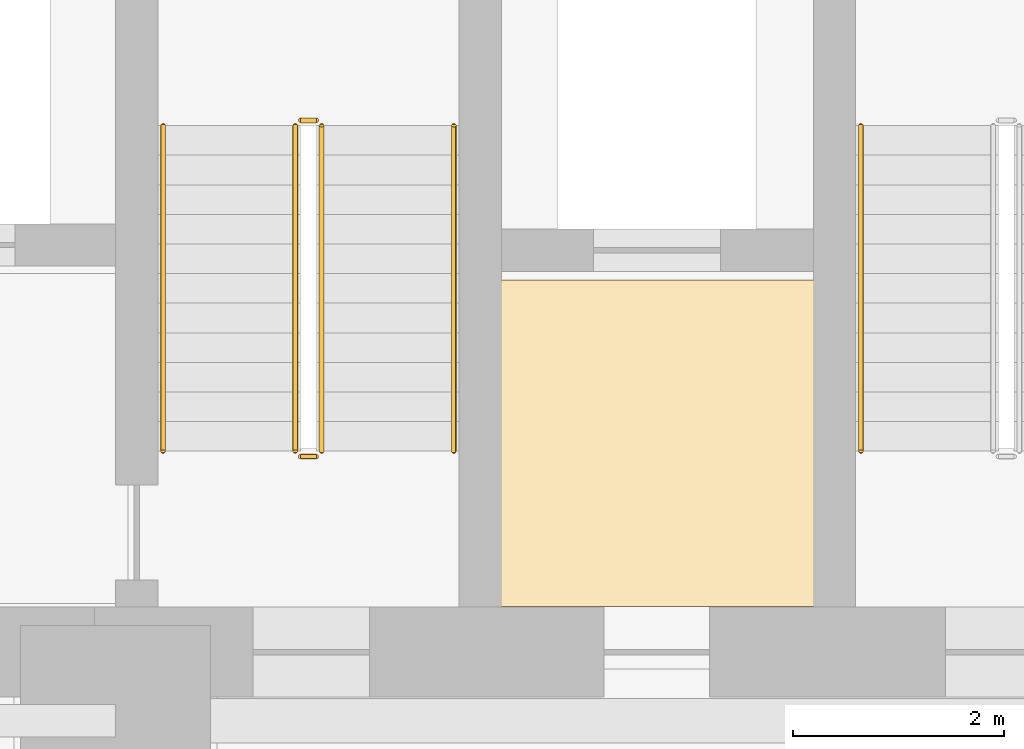
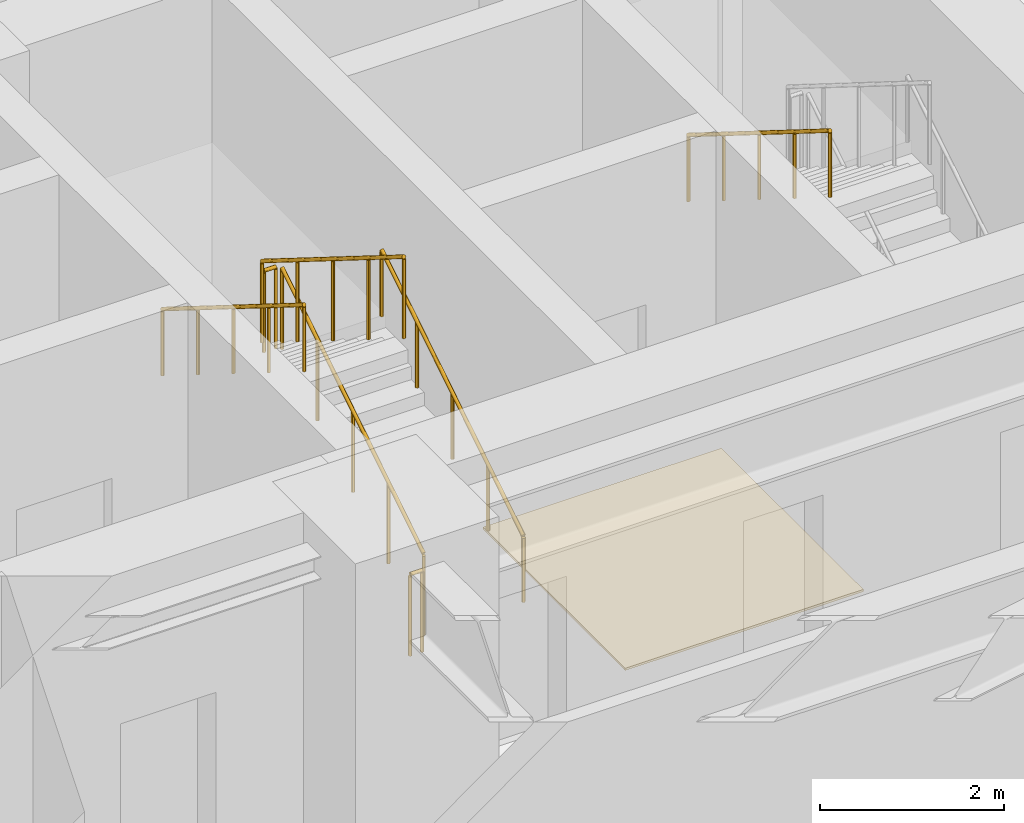
# One storey, part 9 of 11: 7 railings, 1 covering.
"""IFC4 building model written with IfcOpenShell, lengths in metres."""

from ifc_helpers import new_model, si_unit, direction, frame, origin, origin_2d, place, context, subcontext, project, spatial, polyline, circle, outline, extrude, material, layer, layer_set, type_object, element, save


model = new_model("IFC4")

# Units and contexts
model_context = context("Model", 3, precision=1e-05, world=origin(), true_north=direction((0.0, 1.0)))
body_context = subcontext(model_context, "Body", "Model", "MODEL_VIEW")
ifc_project = project(units=[si_unit("LENGTHUNIT", "METRE"), si_unit("AREAUNIT", "SQUARE_METRE"), si_unit("VOLUMEUNIT", "CUBIC_METRE"), si_unit("PLANEANGLEUNIT", "RADIAN"), si_unit("MASSUNIT", "GRAM", prefix="KILO")], contexts=[model_context])

# Site, building, storey
site_placement = place(None, origin())
site = spatial("IfcSite", under=ifc_project, at=site_placement, CompositionType="ELEMENT")
building_placement = place(site_placement, origin())
building = spatial("IfcBuilding", under=site, at=building_placement, Name="Kravanh Interchange Tower", CompositionType="ELEMENT")
storey_placement = place(building_placement, frame((0.0, 0.0, -4.199951171875)))
storey = spatial("IfcBuildingStorey", under=building, at=storey_placement, Name="B1", CompositionType="ELEMENT", Elevation=-4.199951171875)

# Covering
ifc_material_1 = material(Name="Cementitious Terrazzo Tile")
ifc_layer_1 = layer(ifc_material_1, 0.030029296875)
ifc_layer_set_1 = layer_set([ifc_layer_1], Name="Honed Terrazzo Lobby Flooring 30mm")
covering_type = type_object("IfcCoveringType", Name="Honed Terrazzo Lobby Flooring 30mm", PredefinedType="FLOORING", material=ifc_layer_set_1)
covering_placement = place(storey_placement, origin())
element("IfcCovering", 1, at=covering_placement, inside=storey, type_object=covering_type, Name="B1 Service Lift Lobby Floor Finish", PredefinedType="FLOORING", context=body_context, shape_type="SweptSolid", body=[
    extrude(outline(polyline([(59.6298828125, 41.52001953125), (62.6201171875, 41.52001953125), (62.6201171875, 38.429931640625), (59.6298828125, 38.429931640625), (59.6298828125, 41.52001953125)])), origin(), (0.0, 0.0, 1.0), 0.030029296875),
])

# Railings
ifc_material_2 = material(Name="Structural Steel S355", Category="steel")
ifc_layer_2 = layer(ifc_material_2, 0.050048828125)
ifc_layer_set_2 = layer_set([ifc_layer_2], Name="Stair Well Guardrail Structural Steel S355 1100mm")
railing_type_1 = type_object("IfcRailingType", Name="Stair Well Guardrail Structural Steel S355 1100mm", PredefinedType="GUARDRAIL", material=ifc_layer_set_2)
railing_1_placement = place(storey_placement, frame((57.949951171875, 39.89990234375, 0.175048828125)))
element("IfcRailing", 2, at=railing_1_placement, inside=storey, type_object=railing_type_1, Name="B1 ST2 stair guard 1", PredefinedType="GUARDRAIL", context=body_context, shape_type="SweptSolid", body=[
    extrude(circle(Radius=0.02392578125, at=origin_2d()), frame((0.0, 0.0, 1.076171875), z_axis=(0.0, 0.848028513186, 0.529950602248), x_axis=(-1.0, 0.0, 0.0)), (0.0, 0.0, 1.0), 3.632080078125),
    extrude(circle(Radius=0.02099609375, at=origin_2d()), origin(), (0.0, 0.0, 1.0), 1.052001953125),
    extrude(circle(Radius=0.02099609375, at=origin_2d()), frame((0.0, 0.77001953125, 0.481201171875)), (0.0, 0.0, 1.0), 1.052001953125),
    extrude(circle(Radius=0.02099609375, at=origin_2d()), frame((0.0, 1.5400390625, 0.96240234375)), (0.0, 0.0, 1.0), 1.052001953125),
    extrude(circle(Radius=0.02099609375, at=origin_2d()), frame((0.0, 2.31005859375, 1.443603515625)), (0.0, 0.0, 1.0), 1.052001953125),
    extrude(circle(Radius=0.02099609375, at=origin_2d()), frame((0.0, 3.080078125, 1.9248046875)), (0.0, 0.0, 1.0), 1.052001953125),
])
railing_2_placement = place(storey_placement, frame((57.89990234375, 43.030029296875, 2.099853515625)))
element("IfcRailing", 3, at=railing_2_placement, inside=storey, type_object=railing_type_1, Name="B1 ST2 stair guard 2", PredefinedType="GUARDRAIL", context=body_context, shape_type="SweptSolid", body=[
    extrude(circle(Radius=0.02392578125, at=origin_2d()), frame((0.0, 0.0, 1.076171875), z_axis=(-1.0, 0.0, 0.0), x_axis=(0.0, -1.0, 0.0)), (0.0, 0.0, 1.0), 0.14990234375),
    extrude(circle(Radius=0.02099609375, at=origin_2d()), origin(), (0.0, 0.0, 1.0), 1.052001953125),
    extrude(circle(Radius=0.02099609375, at=origin_2d()), frame((-0.14990234375, 0.0, 0.0)), (0.0, 0.0, 1.0), 1.052001953125),
])
railing_3_placement = place(storey_placement, frame((57.699951171875, 42.97998046875, 2.27490234375)))
element("IfcRailing", 4, at=railing_3_placement, inside=storey, type_object=railing_type_1, Name="B1 ST2 stair guard 3", PredefinedType="GUARDRAIL", context=body_context, shape_type="SweptSolid", body=[
    extrude(circle(Radius=0.02392578125, at=origin_2d()), frame((0.0, 0.0, 1.076171875), z_axis=(0.0, -0.847998304005, 0.529998940003), x_axis=(1.0, 0.0, 0.0)), (0.0, 0.0, 1.0), 3.632080078125),
    extrude(circle(Radius=0.02099609375, at=origin_2d()), origin(), (0.0, 0.0, 1.0), 1.052001953125),
    extrude(circle(Radius=0.02099609375, at=origin_2d()), frame((0.0, -0.77001953125, 0.481201171875)), (0.0, 0.0, 1.0), 1.052001953125),
    extrude(circle(Radius=0.02099609375, at=origin_2d()), frame((0.0, -1.5400390625, 0.96240234375)), (0.0, 0.0, 1.0), 1.052001953125),
    extrude(circle(Radius=0.02099609375, at=origin_2d()), frame((0.0, -2.31005859375, 1.44384765625)), (0.0, 0.0, 1.0), 1.052001953125),
    extrude(circle(Radius=0.02099609375, at=origin_2d()), frame((0.0, -3.080078125, 1.925048828125)), (0.0, 0.0, 1.0), 1.052001953125),
])
railing_4_placement = place(storey_placement, frame((57.89990234375, 39.85009765625, 0.0)))
element("IfcRailing", 5, at=railing_4_placement, inside=storey, type_object=railing_type_1, Name="B1 ST2 stair guard 4", PredefinedType="GUARDRAIL", context=body_context, shape_type="SweptSolid", body=[
    extrude(circle(Radius=0.02392578125, at=origin_2d()), frame((0.0, 0.0, 1.076171875), z_axis=(-1.0, 0.0, 0.0), x_axis=(0.0, -1.0, 0.0)), (0.0, 0.0, 1.0), 0.14990234375),
    extrude(circle(Radius=0.02099609375, at=origin_2d()), origin(), (0.0, 0.0, 1.0), 1.052001953125),
    extrude(circle(Radius=0.02099609375, at=origin_2d()), frame((-0.14990234375, 0.0, 0.0)), (0.0, 0.0, 1.0), 1.052001953125),
])
ifc_material_3 = material(Name="Stainless Steel 304", Category="steel")
ifc_layer_3 = layer(ifc_material_3, 0.044921875)
ifc_layer_set_3 = layer_set([ifc_layer_3], Name="Tubular Stair Handrail Stainless 304 900mm")
railing_type_2 = type_object("IfcRailingType", Name="Tubular Stair Handrail Stainless 304 900mm", PredefinedType="HANDRAIL", material=ifc_layer_set_3)
railing_5_placement = place(storey_placement, frame((63.050048828125, 42.97998046875, 2.27490234375)))
element("IfcRailing", 6, at=railing_5_placement, inside=storey, type_object=railing_type_2, Name="B1 ST1 stair handrail 2", PredefinedType="HANDRAIL", context=body_context, shape_type="SweptSolid", body=[
    extrude(circle(Radius=0.02392578125, at=origin_2d()), frame((0.0, 0.0, 0.8759765625), z_axis=(0.0, -0.847998304005, 0.529998940003), x_axis=(1.0, 0.0, 0.0)), (0.0, 0.0, 1.0), 3.632080078125),
    extrude(circle(Radius=0.02099609375, at=origin_2d()), origin(), (0.0, 0.0, 1.0), 0.851806640625),
    extrude(circle(Radius=0.02099609375, at=origin_2d()), frame((0.0, -0.77001953125, 0.481201171875)), (0.0, 0.0, 1.0), 0.851806640625),
    extrude(circle(Radius=0.02099609375, at=origin_2d()), frame((0.0, -1.5400390625, 0.96240234375)), (0.0, 0.0, 1.0), 0.851806640625),
    extrude(circle(Radius=0.02099609375, at=origin_2d()), frame((0.0, -2.31005859375, 1.44384765625)), (0.0, 0.0, 1.0), 0.851806640625),
    extrude(circle(Radius=0.02099609375, at=origin_2d()), frame((0.0, -3.080078125, 1.925048828125)), (0.0, 0.0, 1.0), 0.851806640625),
])
railing_6_placement = place(storey_placement, frame((59.199951171875, 39.89990234375, 0.175048828125)))
element("IfcRailing", 7, at=railing_6_placement, inside=storey, type_object=railing_type_2, Name="B1 ST2 stair handrail 1", PredefinedType="HANDRAIL", context=body_context, shape_type="SweptSolid", body=[
    extrude(circle(Radius=0.02392578125, at=origin_2d()), frame((0.0, 0.0, 0.8759765625), z_axis=(0.0, 0.848028513186, 0.529950602248), x_axis=(-1.0, 0.0, 0.0)), (0.0, 0.0, 1.0), 3.632080078125),
    extrude(circle(Radius=0.02099609375, at=origin_2d()), origin(), (0.0, 0.0, 1.0), 0.851806640625),
    extrude(circle(Radius=0.02099609375, at=origin_2d()), frame((0.0, 0.77001953125, 0.481201171875)), (0.0, 0.0, 1.0), 0.851806640625),
    extrude(circle(Radius=0.02099609375, at=origin_2d()), frame((0.0, 1.5400390625, 0.96240234375)), (0.0, 0.0, 1.0), 0.851806640625),
    extrude(circle(Radius=0.02099609375, at=origin_2d()), frame((0.0, 2.31005859375, 1.443603515625)), (0.0, 0.0, 1.0), 0.851806640625),
    extrude(circle(Radius=0.02099609375, at=origin_2d()), frame((0.0, 3.080078125, 1.9248046875)), (0.0, 0.0, 1.0), 0.851806640625),
])
railing_7_placement = place(storey_placement, frame((56.449951171875, 42.97998046875, 2.27490234375)))
element("IfcRailing", 8, at=railing_7_placement, inside=storey, type_object=railing_type_2, Name="B1 ST2 stair handrail 2", PredefinedType="HANDRAIL", context=body_context, shape_type="SweptSolid", body=[
    extrude(circle(Radius=0.02392578125, at=origin_2d()), frame((0.0, 0.0, 0.8759765625), z_axis=(0.0, -0.847998304005, 0.529998940003), x_axis=(1.0, 0.0, 0.0)), (0.0, 0.0, 1.0), 3.632080078125),
    extrude(circle(Radius=0.02099609375, at=origin_2d()), origin(), (0.0, 0.0, 1.0), 0.851806640625),
    extrude(circle(Radius=0.02099609375, at=origin_2d()), frame((0.0, -0.77001953125, 0.481201171875)), (0.0, 0.0, 1.0), 0.851806640625),
    extrude(circle(Radius=0.02099609375, at=origin_2d()), frame((0.0, -1.5400390625, 0.96240234375)), (0.0, 0.0, 1.0), 0.851806640625),
    extrude(circle(Radius=0.02099609375, at=origin_2d()), frame((0.0, -2.31005859375, 1.44384765625)), (0.0, 0.0, 1.0), 0.851806640625),
    extrude(circle(Radius=0.02099609375, at=origin_2d()), frame((0.0, -3.080078125, 1.925048828125)), (0.0, 0.0, 1.0), 0.851806640625),
])

save(model, "model.ifc")
